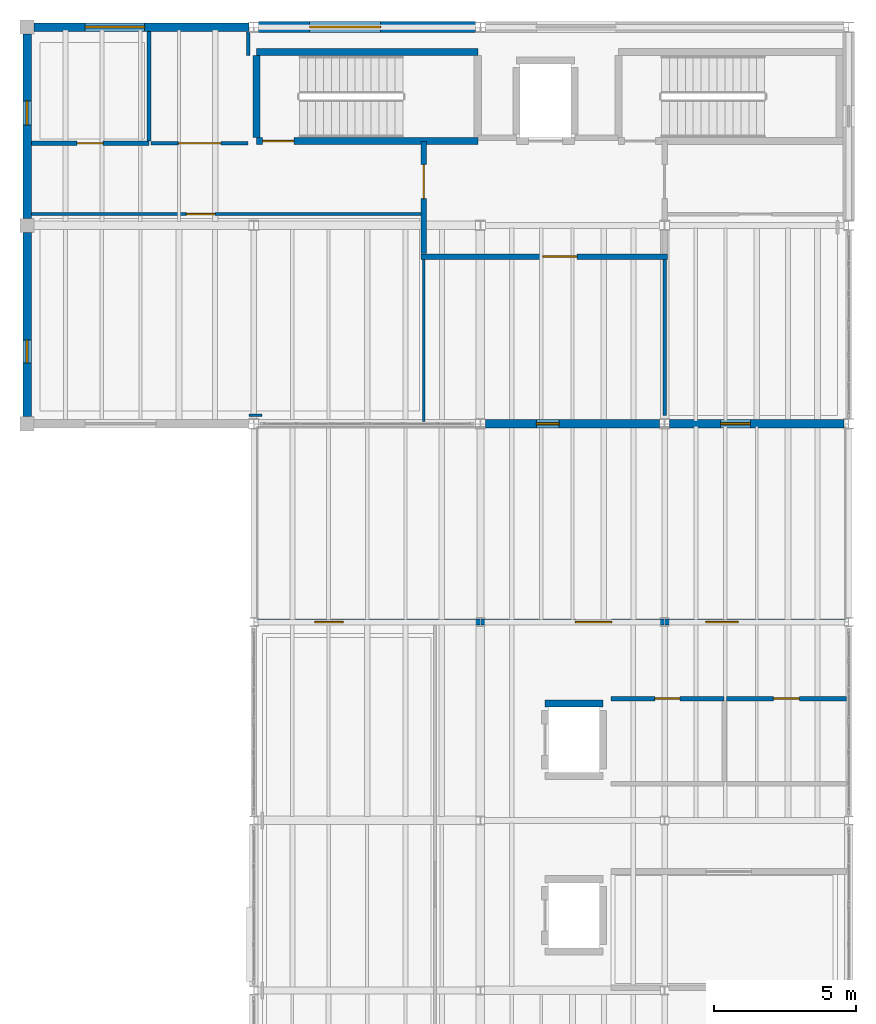
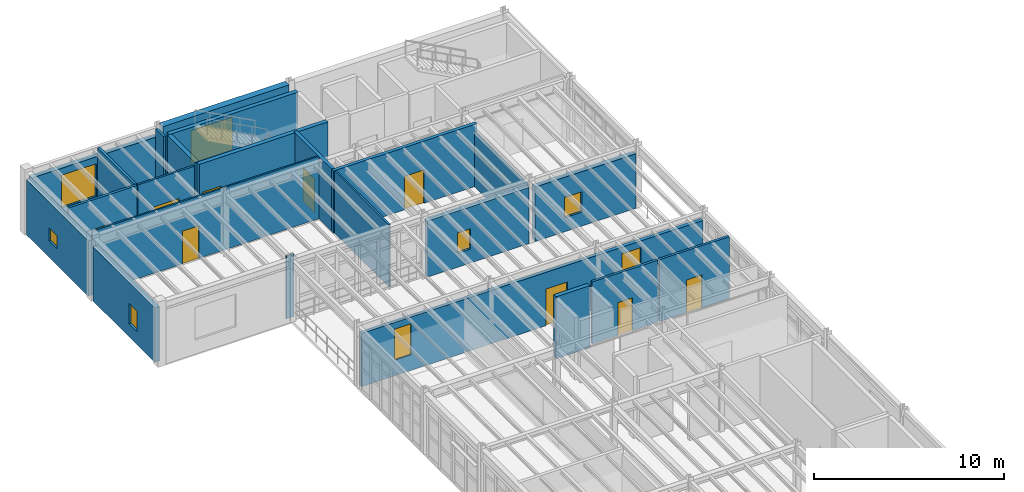
# One storey, part 24 of 27: 23 walls, 9 doors, 8 windows, 17 openings.
"""IFC4 building model written with IfcOpenShell, lengths in metres."""

import ifcopenshell
import ifcopenshell.guid

model = None  # the IFC model being written
_history = None  # IfcOwnerHistory: only IFC2X3 demands one
_inside = {}  # id of a spatial element -> (the spatial element, [elements in it])
_under = {}  # id of a project, library or spatial element -> (it, [spatial elements below it])
_declared = {}  # id of a project -> (the project, [libraries it declares])
_typed = {}  # id of a type object -> (the type object, [elements of that type])
_made_of = {}  # id of a material, layer set ... -> (it, [elements and type objects made of it])


def new_model(schema):
    """Start an empty IFC model of exactly this schema.

    Asked for "IFC4X3", IfcOpenShell would pick the latest addendum, in which some entities
    have other attributes; the version numbers below select the first issue.
    IFC2X3 requires an IfcOwnerHistory on every rooted entity: one is made here for all.
    """
    global model, _history
    if schema == "IFC4X3":
        model = ifcopenshell.file(schema_version=(4, 3, 0, 0))
    else:
        model = ifcopenshell.file(schema=schema)
    _inside.clear()
    _under.clear()
    _declared.clear()
    _typed.clear()
    _made_of.clear()
    _history = None
    if model.schema == "IFC2X3":
        org = make("IfcOrganization", Name="unknown")
        user = make(
            "IfcPersonAndOrganization",
            ThePerson=make("IfcPerson", FamilyName="unknown"),
            TheOrganization=org,
        )
        app = make(
            "IfcApplication",
            ApplicationDeveloper=org,
            Version="unknown",
            ApplicationFullName="unknown",
            ApplicationIdentifier="unknown",
        )
        _history = make(
            "IfcOwnerHistory",
            OwningUser=user,
            OwningApplication=app,
            ChangeAction="ADDED",
            CreationDate=0,
        )
    return model


def make(cls, **values):
    """One entity of the class cls with the attributes given. An attribute that is None is left unset."""
    return model.create_entity(
        cls, **{name: value for name, value in values.items() if value is not None}
    )


def rooted(cls, **values):
    """An entity with a GlobalId (a new one), such as an element, a storey or a relation."""
    return make(cls, GlobalId=ifcopenshell.guid.new(), OwnerHistory=_history, **values)


def si_unit(unit_type, name, prefix=None):
    """IfcSIUnit, for example si_unit("LENGTHUNIT", "METRE", prefix="MILLI")."""
    return make("IfcSIUnit", UnitType=unit_type, Prefix=prefix, Name=name)


def assignment(units):
    """IfcUnitAssignment: the units of a project."""
    return None if units is None else make("IfcUnitAssignment", Units=units)


def point(xyz):
    """IfcCartesianPoint."""
    return None if xyz is None else make("IfcCartesianPoint", Coordinates=xyz)


def direction(xyz):
    """IfcDirection."""
    return None if xyz is None else make("IfcDirection", DirectionRatios=xyz)


def frame(location, z_axis=None, x_axis=None):
    """IfcAxis2Placement3D, a coordinate frame: its origin and axes. An axis left out is left unset."""
    return make(
        "IfcAxis2Placement3D",
        Location=point(location),
        Axis=direction(z_axis),
        RefDirection=direction(x_axis),
    )


def frame_2d(location, x_axis=None):
    """IfcAxis2Placement2D, a coordinate frame in the plane: its origin and x axis."""
    return make(
        "IfcAxis2Placement2D", Location=point(location), RefDirection=direction(x_axis)
    )


def origin():
    """The frame at (0, 0, 0) with its axes left unset."""
    return frame((0.0, 0.0, 0.0))


def place(relative_to, where):
    """IfcLocalPlacement: puts the frame where relative to a parent placement (None: the world)."""
    return make(
        "IfcLocalPlacement", PlacementRelTo=relative_to, RelativePlacement=where
    )


def context(
    kind, dimensions, precision=None, world=None, true_north=None, identifier=None
):
    """IfcGeometricRepresentationContext, for example the 3D "Model" context."""
    return make(
        "IfcGeometricRepresentationContext",
        ContextIdentifier=identifier,
        ContextType=kind,
        CoordinateSpaceDimension=dimensions,
        Precision=precision,
        WorldCoordinateSystem=world,
        TrueNorth=true_north,
    )


def subcontext(parent, identifier, kind, view, scale=None):
    """IfcGeometricRepresentationSubContext, for example "Body" below "Model"."""
    return make(
        "IfcGeometricRepresentationSubContext",
        ContextIdentifier=identifier,
        ContextType=kind,
        ParentContext=parent,
        TargetScale=scale,
        TargetView=view,
    )


def project(units=None, contexts=None):
    """IfcProject with its units and contexts."""
    return rooted(
        "IfcProject",
        Name="project",
        RepresentationContexts=contexts,
        UnitsInContext=assignment(units),
    )


def spatial(cls, under=None, at=None, **own):
    """A site, building, storey or space (cls), placed at a placement, below another one or the project."""
    s = rooted(cls, ObjectPlacement=at, **own)
    if under is not None:
        _under.setdefault(under.id(), (under, []))[1].append(s)
    return s


def profile(cls, at=None, kind="AREA", **sizes):
    """A parametric profile (cls). Its sizes go by their IFC names, for example OverallWidth=200.0."""
    return make(cls, ProfileType=kind, Position=at, **sizes)


def rectangle(**sizes):
    """IfcRectangleProfileDef."""
    return profile("IfcRectangleProfileDef", **sizes)


def extrude(swept, where, along, depth):
    """IfcExtrudedAreaSolid: the profile swept, set in the frame where, extruded along a direction by depth."""
    return make(
        "IfcExtrudedAreaSolid",
        SweptArea=swept,
        Position=where,
        ExtrudedDirection=direction(along),
        Depth=depth,
    )


def shape(context_of_items, identifier, shape_type, items):
    """IfcShapeRepresentation: the items that make up one representation, for example the "Body"."""
    return make(
        "IfcShapeRepresentation",
        ContextOfItems=context_of_items,
        RepresentationIdentifier=identifier,
        RepresentationType=shape_type,
        Items=items,
    )


def material(Name=None, Category=None):
    """IfcMaterial."""
    return make("IfcMaterial", Name=Name, Category=Category)


def layer(
    of_material, thickness, ventilated=None, Name=None, Category=None, Priority=None
):
    """IfcMaterialLayer: one layer of a wall or slab, of a material (None: an air gap)."""
    return make(
        "IfcMaterialLayer",
        Material=of_material,
        LayerThickness=thickness,
        IsVentilated=ventilated,
        Name=Name,
        Category=Category,
        Priority=Priority,
    )


def layer_set(layers, Name=None):
    """IfcMaterialLayerSet."""
    return make("IfcMaterialLayerSet", MaterialLayers=layers, LayerSetName=Name)


def made_of(thing, what):
    """Note that an element or type object is made of a material, layer set ...; save() writes the relation."""
    if what is not None:
        _made_of.setdefault(what.id(), (what, []))[1].append(thing)
    return thing


def type_object(cls, material=None, **own):
    """A type object (cls), such as IfcWallType, which elements share."""
    return made_of(rooted(cls, **own), material)


def element(
    cls,
    number,
    at=None,
    inside=None,
    cuts=None,
    type_object=None,
    material=None,
    context=None,
    identifier="Body",
    shape_type=None,
    held_by="IfcProductDefinitionShape",
    body=None,
    shapes=None,
    **own,
):
    """One element of the class cls, such as IfcWall. Its Tag is "e" and its number.

    at: its placement. inside: the storey or other place that contains it. cuts: it is an
    opening in that element (IfcRelVoidsElement). A single representation is given by context,
    identifier, shape_type and body (its items); several are given by shapes. held_by: the class
    of the entity that holds the representations. save() writes the other relations.
    """
    e = rooted(cls, Tag="e%d" % number, ObjectPlacement=at, **own)
    if body is not None:
        shapes = [shape(context, identifier, shape_type, body)]
    if shapes is not None:
        e.Representation = make(held_by, Representations=shapes)
    if inside is not None:
        _inside.setdefault(inside.id(), (inside, []))[1].append(e)
    if cuts is not None:
        rooted(
            "IfcRelVoidsElement", RelatingBuildingElement=cuts, RelatedOpeningElement=e
        )
    if type_object is not None:
        _typed.setdefault(type_object.id(), (type_object, []))[1].append(e)
    return made_of(e, material)


def fill(opening, filler):
    """IfcRelFillsElement: the door or window that sits in an opening."""
    return rooted(
        "IfcRelFillsElement",
        RelatingOpeningElement=opening,
        RelatedBuildingElement=filler,
    )


def aggregate(whole, parts):
    """IfcRelAggregates: a whole, such as a stair, and the parts it consists of."""
    return rooted("IfcRelAggregates", RelatingObject=whole, RelatedObjects=parts)


def save(model, path):
    """Write the relations noted so far, then the file.

    IfcRelAggregates (storeys below a building ...), IfcRelContainedInSpatialStructure (elements
    in a storey), IfcRelDefinesByType, IfcRelAssociatesMaterial and IfcRelDeclares: one each for
    every whole, place, type object, material and project.
    """
    for whole, parts in _under.values():
        aggregate(whole, parts)
    for where, things in _inside.values():
        rooted(
            "IfcRelContainedInSpatialStructure",
            RelatedElements=things,
            RelatingStructure=where,
        )
    for kind, things in _typed.values():
        rooted("IfcRelDefinesByType", RelatedObjects=things, RelatingType=kind)
    for what, things in _made_of.values():
        rooted("IfcRelAssociatesMaterial", RelatedObjects=things, RelatingMaterial=what)
    for by, libraries in _declared.values():
        rooted("IfcRelDeclares", RelatingContext=by, RelatedDefinitions=libraries)
    model.write(path)


model = new_model("IFC4")

# Units and contexts
model_context = context("Model", 3, precision=1e-05, world=origin(), true_north=direction((0.0, 1.0)))
body_context = subcontext(model_context, "Body", "Model", "MODEL_VIEW")
ifc_project = project(units=[si_unit("LENGTHUNIT", "METRE"), si_unit("AREAUNIT", "SQUARE_METRE"), si_unit("VOLUMEUNIT", "CUBIC_METRE"), si_unit("PLANEANGLEUNIT", "RADIAN"), si_unit("MASSUNIT", "GRAM", prefix="KILO"), si_unit("THERMODYNAMICTEMPERATUREUNIT", "KELVIN"), si_unit("POWERUNIT", "WATT")], contexts=[model_context])

# Site, building, storey
site_placement = place(None, origin())
site = spatial("IfcSite", under=ifc_project, at=site_placement, CompositionType="ELEMENT")
building_placement = place(site_placement, origin())
building = spatial("IfcBuilding", under=site, at=building_placement, Name="Zhenchuan Central Fire Station", CompositionType="ELEMENT")
storey_placement = place(building_placement, frame((0.0, 0.0, 14.25)))
storey = spatial("IfcBuildingStorey", under=building, at=storey_placement, Name="L04", CompositionType="ELEMENT", Elevation=14.25)

# Wall, opening, window
ifc_material_1 = material(Name="Sintered clay brick masonry MU15", Category="masonry")
ifc_layer_1 = layer(ifc_material_1, 0.300048828125, Name="Sintered clay brick masonry MU15", Category="masonry")
ifc_layer_set_1 = layer_set([ifc_layer_1], Name="Sintered clay brick masonry MU15")
wall_type_1 = type_object("IfcWallType", Name="EW-BRK300", PredefinedType="SOLIDWALL", material=ifc_layer_set_1)
wall_1_placement = place(storey_placement, frame((132.25, 56.5, 0.0), z_axis=(0.0, 0.0, 1.0), x_axis=(1.0, 0.0, 0.0)))
wall_1 = element("IfcWall", 1, at=wall_1_placement, inside=storey, type_object=wall_type_1, Name="EW-L04-V6N-0", PredefinedType="SOLIDWALL", context=body_context, shape_type="SweptSolid", body=[
    extrude(rectangle(XDim=7.574951171875, YDim=0.300048828125, at=frame_2d((3.78759765625, 0.0))), origin(), (0.0, 0.0, 1.0), 3.444091796875),
])
opening_1_placement = place(wall_1_placement, frame((1.800048828125, 0.0, 0.89990234375)))
opening_1 = element("IfcOpeningElement", 2, at=opening_1_placement, cuts=wall_1, Name="Opening W-36", PredefinedType="OPENING", context=body_context, shape_type="SweptSolid", body=[
    extrude(rectangle(XDim=2.10009765625, YDim=2.10009765625, at=frame_2d((1.050048828125, 1.050048828125))), frame((0.0, 0.159912109375, 0.0), z_axis=(0.0, -1.0, 0.0), x_axis=(1.0, 0.0, 0.0)), (0.0, 0.0, 1.0), 0.320068359375),
])
ifc_material_2 = material(Name="Laminated low-E double glazing in aluminium frame", Category="aluminium")
window_type_1 = type_object("IfcWindowType", Name="WN-36", PartitioningType="SINGLE_PANEL", PredefinedType="WINDOW", material=ifc_material_2)
window_1_placement = place(opening_1_placement, origin())
window_1 = element("IfcWindow", 3, at=window_1_placement, inside=storey, type_object=window_type_1, Name="Exterior Window 0120", OverallHeight=2.10009765625, OverallWidth=2.10009765625, PartitioningType="SINGLE_PANEL", PredefinedType="WINDOW", context=body_context, shape_type="SweptSolid", body=[
    extrude(rectangle(XDim=2.10009765625, YDim=2.10009765625, at=frame_2d((1.050048828125, 1.050048828125))), frame((0.0, 0.030029296875, 0.0), z_axis=(0.0, -1.0, 0.0), x_axis=(1.0, 0.0, 0.0)), (0.0, 0.0, 1.0), 0.06005859375),
])
fill(opening_1, window_1)

wall_2_placement = place(storey_placement, frame((132.0, 42.75, 0.0), z_axis=(0.0, 0.0, 1.0), x_axis=(0.0, 1.0, 0.0)))
wall_2 = element("IfcWall", 4, at=wall_2_placement, inside=storey, type_object=wall_type_1, Name="EW-L04-V6W-0", PredefinedType="SOLIDWALL", context=body_context, shape_type="SweptSolid", body=[
    extrude(rectangle(XDim=6.5, YDim=0.300048828125, at=frame_2d((3.25, 0.0))), origin(), (0.0, 0.0, 1.0), 3.493896484375),
])
opening_2_placement = place(wall_2_placement, frame((1.89990234375, 0.0, 0.85009765625)))
opening_2 = element("IfcOpeningElement", 5, at=opening_2_placement, cuts=wall_2, Name="Opening W-39", PredefinedType="OPENING", context=body_context, shape_type="SweptSolid", body=[
    extrude(rectangle(XDim=0.800048828125, YDim=1.300048828125, at=frame_2d((0.39990234375, 0.64990234375))), frame((0.0, 0.159912109375, 0.0), z_axis=(0.0, -1.0, 0.0), x_axis=(1.0, 0.0, 0.0)), (0.0, 0.0, 1.0), 0.320068359375),
])
window_type_2 = type_object("IfcWindowType", Name="WN-39", PartitioningType="SINGLE_PANEL", PredefinedType="WINDOW", material=ifc_material_2)
window_2_placement = place(opening_2_placement, origin())
window_2 = element("IfcWindow", 6, at=window_2_placement, inside=storey, type_object=window_type_2, Name="Exterior Window 0124", OverallHeight=1.300048828125, OverallWidth=0.800048828125, PartitioningType="SINGLE_PANEL", PredefinedType="WINDOW", context=body_context, shape_type="SweptSolid", body=[
    extrude(rectangle(XDim=0.800048828125, YDim=1.300048828125, at=frame_2d((0.39990234375, 0.64990234375))), frame((0.0, 0.030029296875, 0.0), z_axis=(0.0, -1.0, 0.0), x_axis=(1.0, 0.0, 0.0)), (0.0, 0.0, 1.0), 0.06005859375),
])
fill(opening_2, window_2)

wall_3_placement = place(storey_placement, frame((132.0, 49.75, 0.0), z_axis=(0.0, 0.0, 1.0), x_axis=(0.0, 1.0, 0.0)))
wall_3 = element("IfcWall", 7, at=wall_3_placement, inside=storey, type_object=wall_type_1, Name="EW-L04-V6W-1", PredefinedType="SOLIDWALL", context=body_context, shape_type="SweptSolid", body=[
    extrude(rectangle(XDim=6.5, YDim=0.300048828125, at=frame_2d((3.25, 0.0))), origin(), (0.0, 0.0, 1.0), 3.553955078125),
])
opening_3_placement = place(wall_3_placement, frame((3.300048828125, 0.0, 1.050048828125)))
opening_3 = element("IfcOpeningElement", 8, at=opening_3_placement, cuts=wall_3, Name="Opening W-03", PredefinedType="OPENING", context=body_context, shape_type="SweptSolid", body=[
    extrude(rectangle(XDim=0.85009765625, YDim=0.85009765625, at=frame_2d((0.425048828125, 0.425048828125))), frame((0.0, 0.159912109375, 0.0), z_axis=(0.0, -1.0, 0.0), x_axis=(1.0, 0.0, 0.0)), (0.0, 0.0, 1.0), 0.320068359375),
])
window_type_3 = type_object("IfcWindowType", Name="WN-03", PartitioningType="SINGLE_PANEL", PredefinedType="WINDOW", material=ifc_material_2)
window_3_placement = place(opening_3_placement, origin())
window_3 = element("IfcWindow", 9, at=window_3_placement, inside=storey, type_object=window_type_3, Name="Exterior Window 0125", OverallHeight=0.85009765625, OverallWidth=0.85009765625, PartitioningType="SINGLE_PANEL", PredefinedType="WINDOW", context=body_context, shape_type="SweptSolid", body=[
    extrude(rectangle(XDim=0.85009765625, YDim=0.85009765625, at=frame_2d((0.425048828125, 0.425048828125))), frame((0.0, 0.030029296875, 0.0), z_axis=(0.0, -1.0, 0.0), x_axis=(1.0, 0.0, 0.0)), (0.0, 0.0, 1.0), 0.06005859375),
])
fill(opening_3, window_3)

wall_4_placement = place(storey_placement, frame((148.175048828125, 42.5, 0.0), z_axis=(0.0, 0.0, 1.0), x_axis=(1.0, 0.0, 0.0)))
wall_4 = element("IfcWall", 10, at=wall_4_placement, inside=storey, type_object=wall_type_1, Name="EW-L04-V6S-2", PredefinedType="SOLIDWALL", context=body_context, shape_type="SweptSolid", body=[
    extrude(rectangle(XDim=6.14990234375, YDim=0.300048828125, at=frame_2d((3.074951171875, 0.0))), origin(), (0.0, 0.0, 1.0), 3.60400390625),
])
opening_4_placement = place(wall_4_placement, frame((1.800048828125, 0.0, 0.89990234375)))
opening_4 = element("IfcOpeningElement", 11, at=opening_4_placement, cuts=wall_4, Name="Opening W-39", PredefinedType="OPENING", context=body_context, shape_type="SweptSolid", body=[
    extrude(rectangle(XDim=0.800048828125, YDim=1.300048828125, at=frame_2d((0.39990234375, 0.64990234375))), frame((0.0, 0.159912109375, 0.0), z_axis=(0.0, -1.0, 0.0), x_axis=(1.0, 0.0, 0.0)), (0.0, 0.0, 1.0), 0.320068359375),
])
window_4_placement = place(opening_4_placement, origin())
window_4 = element("IfcWindow", 12, at=window_4_placement, inside=storey, type_object=window_type_2, Name="Exterior Window 0127", OverallHeight=1.300048828125, OverallWidth=0.800048828125, PartitioningType="SINGLE_PANEL", PredefinedType="WINDOW", context=body_context, shape_type="SweptSolid", body=[
    extrude(rectangle(XDim=0.800048828125, YDim=1.300048828125, at=frame_2d((0.39990234375, 0.64990234375))), frame((0.0, 0.030029296875, 0.0), z_axis=(0.0, -1.0, 0.0), x_axis=(1.0, 0.0, 0.0)), (0.0, 0.0, 1.0), 0.06005859375),
])
fill(opening_4, window_4)

wall_5_placement = place(storey_placement, frame((154.675048828125, 42.5, 0.0), z_axis=(0.0, 0.0, 1.0), x_axis=(1.0, 0.0, 0.0)))
wall_5 = element("IfcWall", 13, at=wall_5_placement, inside=storey, type_object=wall_type_1, Name="EW-L04-V6S-3", PredefinedType="SOLIDWALL", context=body_context, shape_type="SweptSolid", body=[
    extrude(rectangle(XDim=6.14990234375, YDim=0.300048828125, at=frame_2d((3.074951171875, 0.0))), origin(), (0.0, 0.0, 1.0), 3.493896484375),
])
opening_5_placement = place(wall_5_placement, frame((1.800048828125, 0.0, 0.89990234375)))
opening_5 = element("IfcOpeningElement", 14, at=opening_5_placement, cuts=wall_5, Name="Opening W-40", PredefinedType="OPENING", context=body_context, shape_type="SweptSolid", body=[
    extrude(rectangle(XDim=1.050048828125, YDim=1.300048828125, at=frame_2d((0.52490234375, 0.64990234375))), frame((0.0, 0.159912109375, 0.0), z_axis=(0.0, -1.0, 0.0), x_axis=(1.0, 0.0, 0.0)), (0.0, 0.0, 1.0), 0.320068359375),
])
window_type_4 = type_object("IfcWindowType", Name="WN-40", PartitioningType="SINGLE_PANEL", PredefinedType="WINDOW", material=ifc_material_2)
window_5_placement = place(opening_5_placement, origin())
window_5 = element("IfcWindow", 15, at=window_5_placement, inside=storey, type_object=window_type_4, Name="Exterior Window 0128", OverallHeight=1.300048828125, OverallWidth=1.050048828125, PartitioningType="SINGLE_PANEL", PredefinedType="WINDOW", context=body_context, shape_type="SweptSolid", body=[
    extrude(rectangle(XDim=1.050048828125, YDim=1.300048828125, at=frame_2d((0.52490234375, 0.64990234375))), frame((0.0, 0.030029296875, 0.0), z_axis=(0.0, -1.0, 0.0), x_axis=(1.0, 0.0, 0.0)), (0.0, 0.0, 1.0), 0.06005859375),
])
fill(opening_5, window_5)

# Wall, openings, door, windows
ifc_material_3 = material(Name="Precast concrete C40/50", Category="concrete")
ifc_layer_2 = layer(ifc_material_3, 0.219970703125, Name="Precast concrete C40/50", Category="concrete")
ifc_layer_set_2 = layer_set([ifc_layer_2], Name="Precast concrete C40/50")
wall_type_2 = type_object("IfcWallType", Name="EW-PRC220", PredefinedType="SOLIDWALL", material=ifc_layer_set_2)
wall_6_placement = place(storey_placement, frame((140.14990234375, 35.5, 0.0), z_axis=(0.0, 0.0, 1.0), x_axis=(1.0, 0.0, 0.0)))
wall_6 = element("IfcWall", 16, at=wall_6_placement, inside=storey, type_object=wall_type_2, Name="EW-L04-V2N", PredefinedType="SOLIDWALL", context=body_context, shape_type="SweptSolid", body=[
    extrude(rectangle(XDim=20.7001953125, YDim=0.219970703125, at=frame_2d((10.35009765625, 0.0))), origin(), (0.0, 0.0, 1.0), 3.424072265625),
])
opening_6_placement = place(wall_6_placement, frame((11.199951171875, 0.0, 0.0)))
opening_6 = element("IfcOpeningElement", 17, at=opening_6_placement, cuts=wall_6, Name="Opening TD-013", PredefinedType="OPENING", context=body_context, shape_type="SweptSolid", body=[
    extrude(rectangle(XDim=1.280029296875, YDim=2.35009765625, at=frame_2d((0.64013671875, 1.175048828125))), frame((0.0, 0.119873046875, 0.0), z_axis=(0.0, -1.0, 0.0), x_axis=(1.0, 0.0, 0.0)), (0.0, 0.0, 1.0), 0.239990234375),
])
opening_7_placement = place(wall_6_placement, frame((2.0, 0.0, 1.0)))
opening_7 = element("IfcOpeningElement", 18, at=opening_7_placement, cuts=wall_6, Name="Opening W-31", PredefinedType="OPENING", context=body_context, shape_type="SweptSolid", body=[
    extrude(rectangle(XDim=1.0, YDim=2.0, at=frame_2d((0.5, 1.0))), frame((0.0, 0.119873046875, 0.0), z_axis=(0.0, -1.0, 0.0), x_axis=(1.0, 0.0, 0.0)), (0.0, 0.0, 1.0), 0.239990234375),
])
opening_8_placement = place(wall_6_placement, frame((15.800048828125, 0.0, 1.0)))
opening_8 = element("IfcOpeningElement", 19, at=opening_8_placement, cuts=wall_6, Name="Opening W-32", PredefinedType="OPENING", context=body_context, shape_type="SweptSolid", body=[
    extrude(rectangle(XDim=1.14990234375, YDim=2.0, at=frame_2d((0.574951171875, 1.0))), frame((0.0, 0.119873046875, 0.0), z_axis=(0.0, -1.0, 0.0), x_axis=(1.0, 0.0, 0.0)), (0.0, 0.0, 1.0), 0.239990234375),
])
ifc_material_4 = material(Name="Thermally broken aluminium terrace door", Category="aluminium")
door_type_1 = type_object("IfcDoorType", Name="ED-128x235", OperationType="NOTDEFINED", PredefinedType="DOOR", material=ifc_material_4)
door_1_placement = place(opening_6_placement, origin())
door_1 = element("IfcDoor", 20, at=door_1_placement, inside=storey, type_object=door_type_1, Name="Headquarters L04 Observation Terrace Door", OperationType="SINGLE_SWING_LEFT", OverallHeight=2.35009765625, OverallWidth=1.280029296875, PredefinedType="DOOR", context=body_context, shape_type="SweptSolid", body=[
    extrude(rectangle(XDim=1.280029296875, YDim=2.35009765625, at=frame_2d((0.64013671875, 1.175048828125))), frame((0.0, 0.02490234375, 0.0), z_axis=(0.0, -1.0, 0.0), x_axis=(1.0, 0.0, 0.0)), (0.0, 0.0, 1.0), 0.050048828125),
])
fill(opening_6, door_1)
window_type_5 = type_object("IfcWindowType", Name="WN-31", PartitioningType="SINGLE_PANEL", PredefinedType="WINDOW", material=ifc_material_2)
window_6_placement = place(opening_7_placement, origin())
window_6 = element("IfcWindow", 21, at=window_6_placement, inside=storey, type_object=window_type_5, Name="Exterior Window 0097", OverallHeight=2.0, OverallWidth=1.0, PartitioningType="SINGLE_PANEL", PredefinedType="WINDOW", context=body_context, shape_type="SweptSolid", body=[
    extrude(rectangle(XDim=1.0, YDim=2.0, at=frame_2d((0.5, 1.0))), frame((0.0, 0.030029296875, 0.0), z_axis=(0.0, -1.0, 0.0), x_axis=(1.0, 0.0, 0.0)), (0.0, 0.0, 1.0), 0.06005859375),
])
fill(opening_7, window_6)
window_type_6 = type_object("IfcWindowType", Name="WN-32", PartitioningType="SINGLE_PANEL", PredefinedType="WINDOW", material=ifc_material_2)
window_7_placement = place(opening_8_placement, origin())
window_7 = element("IfcWindow", 22, at=window_7_placement, inside=storey, type_object=window_type_6, Name="Exterior Window 0098", OverallHeight=2.0, OverallWidth=1.14990234375, PartitioningType="SINGLE_PANEL", PredefinedType="WINDOW", context=body_context, shape_type="SweptSolid", body=[
    extrude(rectangle(XDim=1.14990234375, YDim=2.0, at=frame_2d((0.574951171875, 1.0))), frame((0.0, 0.030029296875, 0.0), z_axis=(0.0, -1.0, 0.0), x_axis=(1.0, 0.0, 0.0)), (0.0, 0.0, 1.0), 0.06005859375),
])
fill(opening_8, window_7)

# Wall, opening, window
ifc_material_5 = material(Name="Concrete C40/50", Category="concrete")
ifc_layer_3 = layer(ifc_material_5, 0.39990234375, Name="Concrete C40/50", Category="concrete")
ifc_layer_set_3 = layer_set([ifc_layer_3], Name="Concrete C40/50")
wall_type_3 = type_object("IfcWallType", Name="EW-RC400", PredefinedType="SHEAR", material=ifc_layer_set_3)
wall_7_placement = place(storey_placement, frame((140.175048828125, 56.5, 0.0), z_axis=(0.0, 0.0, 1.0), x_axis=(1.0, 0.0, 0.0)))
wall_7 = element("IfcWall", 23, at=wall_7_placement, inside=storey, type_object=wall_type_3, Name="EW-L04-V6N-1", PredefinedType="SHEAR", context=body_context, shape_type="SweptSolid", body=[
    extrude(rectangle(XDim=7.64990234375, YDim=0.39990234375, at=frame_2d((3.824951171875, 0.0))), origin(), (0.0, 0.0, 1.0), 4.0),
])
opening_9_placement = place(wall_7_placement, frame((1.800048828125, 0.0, 0.89990234375)))
opening_9 = element("IfcOpeningElement", 24, at=opening_9_placement, cuts=wall_7, Name="Opening W-37", PredefinedType="OPENING", context=body_context, shape_type="SweptSolid", body=[
    extrude(rectangle(XDim=2.5, YDim=2.10009765625, at=frame_2d((1.25, 1.050048828125))), frame((0.0, 0.2099609375, 0.0), z_axis=(0.0, -1.0, 0.0), x_axis=(1.0, 0.0, 0.0)), (0.0, 0.0, 1.0), 0.419921875),
])
window_type_7 = type_object("IfcWindowType", Name="WN-37", PartitioningType="SINGLE_PANEL", PredefinedType="WINDOW", material=ifc_material_2)
window_8_placement = place(opening_9_placement, origin())
window_8 = element("IfcWindow", 25, at=window_8_placement, inside=storey, type_object=window_type_7, Name="Exterior Window 0121", OverallHeight=2.10009765625, OverallWidth=2.5, PartitioningType="SINGLE_PANEL", PredefinedType="WINDOW", context=body_context, shape_type="SweptSolid", body=[
    extrude(rectangle(XDim=2.5, YDim=2.10009765625, at=frame_2d((1.25, 1.050048828125))), frame((0.0, 0.030029296875, 0.0), z_axis=(0.0, -1.0, 0.0), x_axis=(1.0, 0.0, 0.0)), (0.0, 0.0, 1.0), 0.06005859375),
])
fill(opening_9, window_8)

# Wall, opening, door
ifc_material_6 = material(Name="Autoclaved aerated concrete blockwork", Category="masonry")
ifc_layer_4 = layer(ifc_material_6, 0.14990234375, Name="Autoclaved aerated concrete blockwork", Category="masonry")
ifc_layer_set_4 = layer_set([ifc_layer_4], Name="Autoclaved aerated concrete blockwork")
wall_type_4 = type_object("IfcWallType", Name="IW-BLK150", PredefinedType="PARTITIONING", material=ifc_layer_set_4)
wall_8_placement = place(storey_placement, frame((152.60009765625, 32.800048828125, 0.0), z_axis=(0.0, 0.0, 1.0), x_axis=(1.0, 0.0, 0.0)))
wall_8 = element("IfcWall", 26, at=wall_8_placement, inside=storey, type_object=wall_type_4, Name="Incident Command Washroom N Partition", PredefinedType="PARTITIONING", context=body_context, shape_type="SweptSolid", body=[
    extrude(rectangle(XDim=4.0, YDim=0.14990234375, at=frame_2d((2.0, 0.0))), origin(), (0.0, 0.0, 1.0), 3.97998046875),
])
opening_10_placement = place(wall_8_placement, frame((1.56005859375, 0.0, 0.0)))
opening_10 = element("IfcOpeningElement", 27, at=opening_10_placement, cuts=wall_8, Name="Opening D-175", PredefinedType="OPENING", context=body_context, shape_type="SweptSolid", body=[
    extrude(rectangle(XDim=0.8798828125, YDim=2.10009765625, at=frame_2d((0.43994140625, 1.050048828125))), frame((0.0, 0.0849609375, 0.0), z_axis=(0.0, -1.0, 0.0), x_axis=(1.0, 0.0, 0.0)), (0.0, 0.0, 1.0), 0.169921875),
])
ifc_material_7 = material(Name="Moisture-resistant washroom door")
door_type_2 = type_object("IfcDoorType", Name="ID-WC-088x210", OperationType="NOTDEFINED", PredefinedType="DOOR", material=ifc_material_7)
door_2_placement = place(opening_10_placement, origin())
door_2 = element("IfcDoor", 28, at=door_2_placement, inside=storey, type_object=door_type_2, Name="Incident Command Washroom Door", OperationType="SINGLE_SWING_LEFT", OverallHeight=2.10009765625, OverallWidth=0.8798828125, PredefinedType="DOOR", context=body_context, shape_type="SweptSolid", body=[
    extrude(rectangle(XDim=0.8798828125, YDim=2.10009765625, at=frame_2d((0.43994140625, 1.050048828125))), frame((0.0, 0.02490234375, 0.0), z_axis=(0.0, -1.0, 0.0), x_axis=(1.0, 0.0, 0.0)), (0.0, 0.0, 1.0), 0.050048828125),
])
fill(opening_10, door_2)

wall_9_placement = place(storey_placement, frame((156.677978515625, 32.800048828125, 0.0), z_axis=(0.0, 0.0, 1.0), x_axis=(1.0, 0.0, 0.0)))
wall_9 = element("IfcWall", 29, at=wall_9_placement, inside=storey, type_object=wall_type_4, Name="Incident Command Accessible WC N Partition", PredefinedType="PARTITIONING", context=body_context, shape_type="SweptSolid", body=[
    extrude(rectangle(XDim=4.239013671875, YDim=0.14990234375, at=frame_2d((2.11962890625, 0.0))), origin(), (0.0, 0.0, 1.0), 3.97998046875),
])
opening_11_placement = place(wall_9_placement, frame((1.659423828125, 0.0, 0.0)))
opening_11 = element("IfcOpeningElement", 30, at=opening_11_placement, cuts=wall_9, Name="Opening D-176", PredefinedType="OPENING", context=body_context, shape_type="SweptSolid", body=[
    extrude(rectangle(XDim=0.919921875, YDim=2.10009765625, at=frame_2d((0.4599609375, 1.050048828125))), frame((0.0, 0.0849609375, 0.0), z_axis=(0.0, -1.0, 0.0), x_axis=(1.0, 0.0, 0.0)), (0.0, 0.0, 1.0), 0.169921875),
])
ifc_material_8 = material(Name="Moisture-resistant accessible WC door")
door_type_3 = type_object("IfcDoorType", Name="ID-WC-092x210", OperationType="NOTDEFINED", PredefinedType="DOOR", material=ifc_material_8)
door_3_placement = place(opening_11_placement, origin())
door_3 = element("IfcDoor", 31, at=door_3_placement, inside=storey, type_object=door_type_3, Name="Incident Command Accessible WC Door", OperationType="SINGLE_SWING_RIGHT", OverallHeight=2.10009765625, OverallWidth=0.919921875, PredefinedType="DOOR", context=body_context, shape_type="SweptSolid", body=[
    extrude(rectangle(XDim=0.919921875, YDim=2.10009765625, at=frame_2d((0.4599609375, 1.050048828125))), frame((0.0, 0.02490234375, 0.0), z_axis=(0.0, -1.0, 0.0), x_axis=(1.0, 0.0, 0.0)), (0.0, 0.0, 1.0), 0.050048828125),
])
fill(opening_11, door_3)

wall_10_placement = place(storey_placement, frame((132.153076171875, 52.39990234375, 0.0), z_axis=(0.0, 0.0, 1.0), x_axis=(1.0, 0.0, 0.0)))
wall_10 = element("IfcWall", 32, at=wall_10_placement, inside=storey, type_object=wall_type_4, Name="Drill Tower Accessible WC L04 S Partition", PredefinedType="PARTITIONING", context=body_context, shape_type="SweptSolid", body=[
    extrude(rectangle(XDim=4.14697265625, YDim=0.14990234375, at=frame_2d((2.073486328125, 0.0))), origin(), (0.0, 0.0, 1.0), 4.0),
])
opening_12_placement = place(wall_10_placement, frame((1.613525390625, 0.0, 0.0)))
opening_12 = element("IfcOpeningElement", 33, at=opening_12_placement, cuts=wall_10, Name="Opening D-179", PredefinedType="OPENING", context=body_context, shape_type="SweptSolid", body=[
    extrude(rectangle(XDim=0.919921875, YDim=2.10009765625, at=frame_2d((0.4599609375, 1.050048828125))), frame((0.0, 0.0849609375, 0.0), z_axis=(0.0, -1.0, 0.0), x_axis=(1.0, 0.0, 0.0)), (0.0, 0.0, 1.0), 0.169921875),
])
door_4_placement = place(opening_12_placement, origin())
door_4 = element("IfcDoor", 34, at=door_4_placement, inside=storey, type_object=door_type_3, Name="Drill Tower Accessible WC L04 Door", OperationType="SINGLE_SWING_LEFT", OverallHeight=2.10009765625, OverallWidth=0.919921875, PredefinedType="DOOR", context=body_context, shape_type="SweptSolid", body=[
    extrude(rectangle(XDim=0.919921875, YDim=2.10009765625, at=frame_2d((0.4599609375, 1.050048828125))), frame((0.0, 0.02490234375, 0.0), z_axis=(0.0, -1.0, 0.0), x_axis=(1.0, 0.0, 0.0)), (0.0, 0.0, 1.0), 0.050048828125),
])
fill(opening_12, door_4)

# Wall
wall_11_placement = place(storey_placement, frame((136.300048828125, 52.47802734375, 0.0), z_axis=(0.0, 0.0, 1.0), x_axis=(0.0, 1.0, 0.0)))
element("IfcWall", 35, at=wall_11_placement, inside=storey, type_object=wall_type_4, Name="Drill Tower Accessible WC L04 E Partition", PredefinedType="PARTITIONING", context=body_context, shape_type="SweptSolid", body=[
    extrude(rectangle(XDim=3.868896484375, YDim=0.14990234375, at=frame_2d((1.9345703125, 0.0))), origin(), (0.0, 0.0, 1.0), 4.0),
])

# Wall, opening, door
ifc_layer_5 = layer(ifc_material_6, 0.199951171875, Name="Autoclaved aerated concrete blockwork", Category="masonry")
ifc_layer_set_5 = layer_set([ifc_layer_5], Name="Autoclaved aerated concrete blockwork")
wall_type_5 = type_object("IfcWallType", Name="IW-FIR200", PredefinedType="PARTITIONING", material=ifc_layer_set_5)
wall_12_placement = place(storey_placement, frame((145.89990234375, 48.39990234375, 0.0), z_axis=(0.0, 0.0, 1.0), x_axis=(1.0, 0.0, 0.0)))
wall_12 = element("IfcWall", 36, at=wall_12_placement, inside=storey, type_object=wall_type_5, Name="L04 Firefighting Lift Lobby South Wall", PredefinedType="PARTITIONING", context=body_context, shape_type="SweptSolid", body=[
    extrude(rectangle(XDim=8.7001953125, YDim=0.199951171875, at=frame_2d((4.35009765625, 0.0))), origin(), (0.0, 0.0, 1.0), 4.0),
])
opening_13_placement = place(wall_12_placement, frame((4.300048828125, 0.0, 0.0)))
opening_13 = element("IfcOpeningElement", 37, at=opening_13_placement, cuts=wall_12, Name="Opening D-057", PredefinedType="OPENING", context=body_context, shape_type="SweptSolid", body=[
    extrude(rectangle(XDim=1.199951171875, YDim=2.14990234375, at=frame_2d((0.60009765625, 1.074951171875))), frame((0.0, 0.10986328125, 0.0), z_axis=(0.0, -1.0, 0.0), x_axis=(1.0, 0.0, 0.0)), (0.0, 0.0, 1.0), 0.219970703125),
])
ifc_material_9 = material(Name="Smoke-sealed steel fire lobby door", Category="steel")
door_type_4 = type_object("IfcDoorType", Name="ID-FFL-120x215", OperationType="NOTDEFINED", PredefinedType="DOOR", material=ifc_material_9)
door_5_placement = place(opening_13_placement, origin())
door_5 = element("IfcDoor", 38, at=door_5_placement, inside=storey, type_object=door_type_4, Name="L04 Firefighting Lift Lobby South Door", OperationType="SINGLE_SWING_LEFT", OverallHeight=2.14990234375, OverallWidth=1.199951171875, PredefinedType="DOOR", context=body_context, shape_type="SweptSolid", body=[
    extrude(rectangle(XDim=1.199951171875, YDim=2.14990234375, at=frame_2d((0.60009765625, 1.074951171875))), frame((0.0, 0.02490234375, 0.0), z_axis=(0.0, -1.0, 0.0), x_axis=(1.0, 0.0, 0.0)), (0.0, 0.0, 1.0), 0.050048828125),
])
fill(opening_13, door_5)

wall_13_placement = place(storey_placement, frame((146.0, 48.50390625, 0.0), z_axis=(0.0, 0.0, 1.0), x_axis=(0.0, 1.0, 0.0)))
wall_13 = element("IfcWall", 39, at=wall_13_placement, inside=storey, type_object=wall_type_5, Name="L04 Firefighting Lift Lobby West Wall", PredefinedType="PARTITIONING", context=body_context, shape_type="SweptSolid", body=[
    extrude(rectangle(XDim=3.967041015625, YDim=0.199951171875, at=frame_2d((1.9833984375, 0.0))), origin(), (0.0, 0.0, 1.0), 4.0),
])
opening_14_placement = place(wall_13_placement, frame((1.946044921875, 0.0, 0.0)))
opening_14 = element("IfcOpeningElement", 40, at=opening_14_placement, cuts=wall_13, Name="Opening D-058", PredefinedType="OPENING", context=body_context, shape_type="SweptSolid", body=[
    extrude(rectangle(XDim=1.199951171875, YDim=2.14990234375, at=frame_2d((0.60009765625, 1.074951171875))), frame((0.0, 0.10986328125, 0.0), z_axis=(0.0, -1.0, 0.0), x_axis=(1.0, 0.0, 0.0)), (0.0, 0.0, 1.0), 0.219970703125),
])
door_6_placement = place(opening_14_placement, origin())
door_6 = element("IfcDoor", 41, at=door_6_placement, inside=storey, type_object=door_type_4, Name="L04 Firefighting Lift Lobby West Door", OperationType="SINGLE_SWING_RIGHT", OverallHeight=2.14990234375, OverallWidth=1.199951171875, PredefinedType="DOOR", context=body_context, shape_type="SweptSolid", body=[
    extrude(rectangle(XDim=1.199951171875, YDim=2.14990234375, at=frame_2d((0.60009765625, 1.074951171875))), frame((0.0, 0.02490234375, 0.0), z_axis=(0.0, -1.0, 0.0), x_axis=(1.0, 0.0, 0.0)), (0.0, 0.0, 1.0), 0.050048828125),
])
fill(opening_14, door_6)

# Wall
ifc_material_10 = material(Name="Gypsum plasterboard on steel studs", Category="gypsum")
ifc_layer_6 = layer(ifc_material_10, 0.10009765625, Name="Gypsum plasterboard on steel studs", Category="gypsum")
ifc_layer_set_6 = layer_set([ifc_layer_6], Name="Gypsum plasterboard on steel studs")
wall_type_6 = type_object("IfcWallType", Name="IW-GYP100", PredefinedType="PARTITIONING", material=ifc_layer_set_6)
wall_14_placement = place(storey_placement, frame((139.827880859375, 42.800048828125, 0.0), z_axis=(0.0, 0.0, 1.0), x_axis=(1.0, 0.0, 0.0)))
element("IfcWall", 42, at=wall_14_placement, inside=storey, type_object=wall_type_6, Name="Vertical Shaft Rescue Chamber S Partition", PredefinedType="PARTITIONING", context=body_context, shape_type="SweptSolid", body=[
    extrude(rectangle(XDim=0.46923828125, YDim=0.10009765625, at=frame_2d((0.234619140625, 0.0))), origin(), (0.0, 0.0, 1.0), 4.0),
])

# Wall, opening, door
wall_15_placement = place(storey_placement, frame((132.153076171875, 49.89990234375, 0.0), z_axis=(0.0, 0.0, 1.0), x_axis=(1.0, 0.0, 0.0)))
wall_15 = element("IfcWall", 43, at=wall_15_placement, inside=storey, type_object=wall_type_6, Name="Vertical Shaft Rescue Chamber N Partition", PredefinedType="PARTITIONING", context=body_context, shape_type="SweptSolid", body=[
    extrude(rectangle(XDim=13.743896484375, YDim=0.10009765625, at=frame_2d((6.8720703125, 0.0))), origin(), (0.0, 0.0, 1.0), 4.0),
])
opening_15_placement = place(wall_15_placement, frame((5.471923828125, 0.0, 0.0)))
opening_15 = element("IfcOpeningElement", 44, at=opening_15_placement, cuts=wall_15, Name="Opening D-177", PredefinedType="OPENING", context=body_context, shape_type="SweptSolid", body=[
    extrude(rectangle(XDim=1.0, YDim=2.10009765625, at=frame_2d((0.5, 1.050048828125))), frame((0.0, 0.06005859375, 0.0), z_axis=(0.0, -1.0, 0.0), x_axis=(1.0, 0.0, 0.0)), (0.0, 0.0, 1.0), 0.1201171875),
])
ifc_material_11 = material(Name="Solid-core timber office door", Category="wood")
door_type_5 = type_object("IfcDoorType", Name="ID-OFF-100x210", OperationType="NOTDEFINED", PredefinedType="DOOR", material=ifc_material_11)
door_7_placement = place(opening_15_placement, origin())
door_7 = element("IfcDoor", 45, at=door_7_placement, inside=storey, type_object=door_type_5, Name="Vertical Shaft Rescue Chamber Door", OperationType="SINGLE_SWING_LEFT", OverallHeight=2.10009765625, OverallWidth=1.0, PredefinedType="DOOR", context=body_context, shape_type="SweptSolid", body=[
    extrude(rectangle(XDim=1.0, YDim=2.10009765625, at=frame_2d((0.5, 1.050048828125))), frame((0.0, 0.02490234375, 0.0), z_axis=(0.0, -1.0, 0.0), x_axis=(1.0, 0.0, 0.0)), (0.0, 0.0, 1.0), 0.050048828125),
])
fill(opening_15, door_7)

# Walls
wall_16_placement = place(storey_placement, frame((146.0, 42.5830078125, 0.0), z_axis=(0.0, 0.0, 1.0), x_axis=(0.0, 1.0, 0.0)))
element("IfcWall", 46, at=wall_16_placement, inside=storey, type_object=wall_type_6, Name="Vertical Shaft Rescue Chamber E Partition", PredefinedType="PARTITIONING", context=body_context, shape_type="SweptSolid", body=[
    extrude(rectangle(XDim=5.714111328125, YDim=0.10009765625, at=frame_2d((2.85693359375, 0.0))), origin(), (0.0, 0.0, 1.0), 4.0),
])
ifc_layer_7 = layer(ifc_material_10, 0.1201171875, Name="Gypsum plasterboard on steel studs", Category="gypsum")
ifc_layer_set_7 = layer_set([ifc_layer_7], Name="Gypsum plasterboard on steel studs")
wall_type_7 = type_object("IfcWallType", Name="IW-GYP120", PredefinedType="PARTITIONING", material=ifc_layer_set_7)
wall_17_placement = place(storey_placement, frame((154.5, 42.800048828125, 0.0), z_axis=(0.0, 0.0, 1.0), x_axis=(0.0, 1.0, 0.0)))
element("IfcWall", 47, at=wall_17_placement, inside=storey, type_object=wall_type_7, Name="Tactical Debriefing Classroom W Partition", PredefinedType="PARTITIONING", context=body_context, shape_type="SweptSolid", body=[
    extrude(rectangle(XDim=5.4970703125, YDim=0.1201171875, at=frame_2d((2.74853515625, 0.0))), origin(), (0.0, 0.0, 1.0), 3.493896484375),
])

# Wall, opening, door
wall_18_placement = place(storey_placement, frame((136.3779296875, 52.39990234375, 0.0), z_axis=(0.0, 0.0, 1.0), x_axis=(1.0, 0.0, 0.0)))
wall_18 = element("IfcWall", 48, at=wall_18_placement, inside=storey, type_object=wall_type_7, Name="Drill Tower Cleaner Store L04 S Partition", PredefinedType="PARTITIONING", context=body_context, shape_type="SweptSolid", body=[
    extrude(rectangle(XDim=3.422119140625, YDim=0.1201171875, at=frame_2d((1.7109375, 0.0))), origin(), (0.0, 0.0, 1.0), 4.0),
])
opening_16_placement = place(wall_18_placement, frame((0.9609375, 0.0, 0.0)))
opening_16 = element("IfcOpeningElement", 49, at=opening_16_placement, cuts=wall_18, Name="Opening D-180", PredefinedType="OPENING", context=body_context, shape_type="SweptSolid", body=[
    extrude(rectangle(XDim=1.5, YDim=2.25, at=frame_2d((0.75, 1.125))), frame((0.0, 0.070068359375, 0.0), z_axis=(0.0, -1.0, 0.0), x_axis=(1.0, 0.0, 0.0)), (0.0, 0.0, 1.0), 0.14013671875),
])
ifc_material_12 = material(Name="Powder-coated steel workshop door", Category="steel")
door_type_6 = type_object("IfcDoorType", Name="ID-WKS-150x225", OperationType="NOTDEFINED", PredefinedType="DOOR", material=ifc_material_12)
door_8_placement = place(opening_16_placement, origin())
door_8 = element("IfcDoor", 50, at=door_8_placement, inside=storey, type_object=door_type_6, Name="Drill Tower Cleaner Store L04 Door", OperationType="SINGLE_SWING_RIGHT", OverallHeight=2.25, OverallWidth=1.5, PredefinedType="DOOR", context=body_context, shape_type="SweptSolid", body=[
    extrude(rectangle(XDim=1.5, YDim=2.25, at=frame_2d((0.75, 1.125))), frame((0.0, 0.02490234375, 0.0), z_axis=(0.0, -1.0, 0.0), x_axis=(1.0, 0.0, 0.0)), (0.0, 0.0, 1.0), 0.050048828125),
])
fill(opening_16, door_8)

# Wall
wall_19_placement = place(storey_placement, frame((139.800048828125, 55.5029296875, 0.0), z_axis=(0.0, 0.0, 1.0), x_axis=(0.0, 1.0, 0.0)))
element("IfcWall", 51, at=wall_19_placement, inside=storey, type_object=wall_type_7, Name="Drill Tower Cleaner Store L04 E Partition", PredefinedType="PARTITIONING", context=body_context, shape_type="SweptSolid", body=[
    extrude(rectangle(XDim=0.819091796875, YDim=0.1201171875, at=frame_2d((0.40966796875, 0.0))), origin(), (0.0, 0.0, 1.0), 4.0),
])

# Wall, opening, door
ifc_layer_8 = layer(ifc_material_5, 0.25, Name="Concrete C40/50", Category="concrete")
ifc_layer_set_8 = layer_set([ifc_layer_8], Name="Concrete C40/50")
wall_type_8 = type_object("IfcWallType", Name="IW-SHR250", PredefinedType="SHEAR", material=ifc_layer_set_8)
wall_20_placement = place(storey_placement, frame((140.094970703125, 52.47509765625, 0.0), z_axis=(0.0, 0.0, 1.0), x_axis=(1.0, 0.0, 0.0)))
wall_20 = element("IfcWall", 52, at=wall_20_placement, inside=storey, type_object=wall_type_8, Name="ST-12 L04 South Core Wall", PredefinedType="SHEAR", context=body_context, shape_type="SweptSolid", body=[
    extrude(rectangle(XDim=7.81005859375, YDim=0.25, at=frame_2d((3.905029296875, 0.0))), origin(), (0.0, 0.0, 1.0), 4.0),
])
opening_17_placement = place(wall_20_placement, frame((0.219970703125, 0.0, 0.0)))
opening_17 = element("IfcOpeningElement", 53, at=opening_17_placement, cuts=wall_20, Name="Opening D-033", PredefinedType="OPENING", context=body_context, shape_type="SweptSolid", body=[
    extrude(rectangle(XDim=1.10009765625, YDim=2.14990234375, at=frame_2d((0.550048828125, 1.074951171875))), frame((0.0, 0.135009765625, 0.0), z_axis=(0.0, -1.0, 0.0), x_axis=(1.0, 0.0, 0.0)), (0.0, 0.0, 1.0), 0.27001953125),
])
ifc_material_13 = material(Name="Painted steel acoustic fire door", Category="steel")
door_type_7 = type_object("IfcDoorType", Name="ID-ST-110x215", OperationType="NOTDEFINED", PredefinedType="DOOR", material=ifc_material_13)
door_9_placement = place(opening_17_placement, frame((1.10009765625, 0.0, 0.0), z_axis=(0.0, 0.0, 1.0), x_axis=(-1.0, 0.0, 0.0)))
door_9 = element("IfcDoor", 54, at=door_9_placement, inside=storey, type_object=door_type_7, Name="ST-12 L04 Fire Door", OperationType="SINGLE_SWING_LEFT", OverallHeight=2.14990234375, OverallWidth=1.10009765625, PredefinedType="DOOR", context=body_context, shape_type="SweptSolid", body=[
    extrude(rectangle(XDim=1.10009765625, YDim=2.14990234375, at=frame_2d((0.550048828125, 1.074951171875))), frame((0.0, 0.02490234375, 0.0), z_axis=(0.0, -1.0, 0.0), x_axis=(1.0, 0.0, 0.0)), (0.0, 0.0, 1.0), 0.050048828125),
])
fill(opening_17, door_9)

# Walls
wall_21_placement = place(storey_placement, frame((140.094970703125, 55.625, 0.0), z_axis=(0.0, 0.0, 1.0), x_axis=(1.0, 0.0, 0.0)))
element("IfcWall", 55, at=wall_21_placement, inside=storey, type_object=wall_type_8, Name="ST-12 L04 North Core Wall", PredefinedType="SHEAR", context=body_context, shape_type="SweptSolid", body=[
    extrude(rectangle(XDim=7.81005859375, YDim=0.25, at=frame_2d((3.905029296875, 0.0))), origin(), (0.0, 0.0, 1.0), 4.0),
])
wall_22_placement = place(storey_placement, frame((140.094970703125, 52.60009765625, 0.0), z_axis=(0.0, 0.0, 1.0), x_axis=(0.0, 1.0, 0.0)))
element("IfcWall", 56, at=wall_22_placement, inside=storey, type_object=wall_type_8, Name="ST-12 L04 West Core Wall", PredefinedType="SHEAR", context=body_context, shape_type="SweptSolid", body=[
    extrude(rectangle(XDim=2.89990234375, YDim=0.25, at=frame_2d((1.449951171875, 0.0))), origin(), (0.0, 0.0, 1.0), 4.0),
])
wall_23_placement = place(storey_placement, frame((150.27490234375, 32.625, 0.0), z_axis=(0.0, 0.0, 1.0), x_axis=(1.0, 0.0, 0.0)))
element("IfcWall", 57, at=wall_23_placement, inside=storey, type_object=wall_type_8, Name="Lift LP-02 L04 North Shaft Wall", PredefinedType="SHEAR", context=body_context, shape_type="SweptSolid", body=[
    extrude(rectangle(XDim=2.050048828125, YDim=0.25, at=frame_2d((1.02490234375, 0.0))), origin(), (0.0, 0.0, 1.0), 3.97998046875),
])

save(model, "model.ifc")
